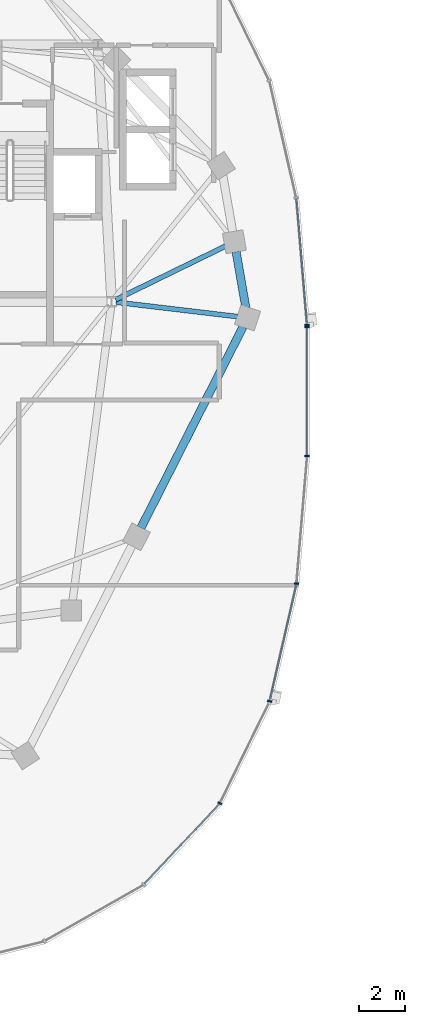
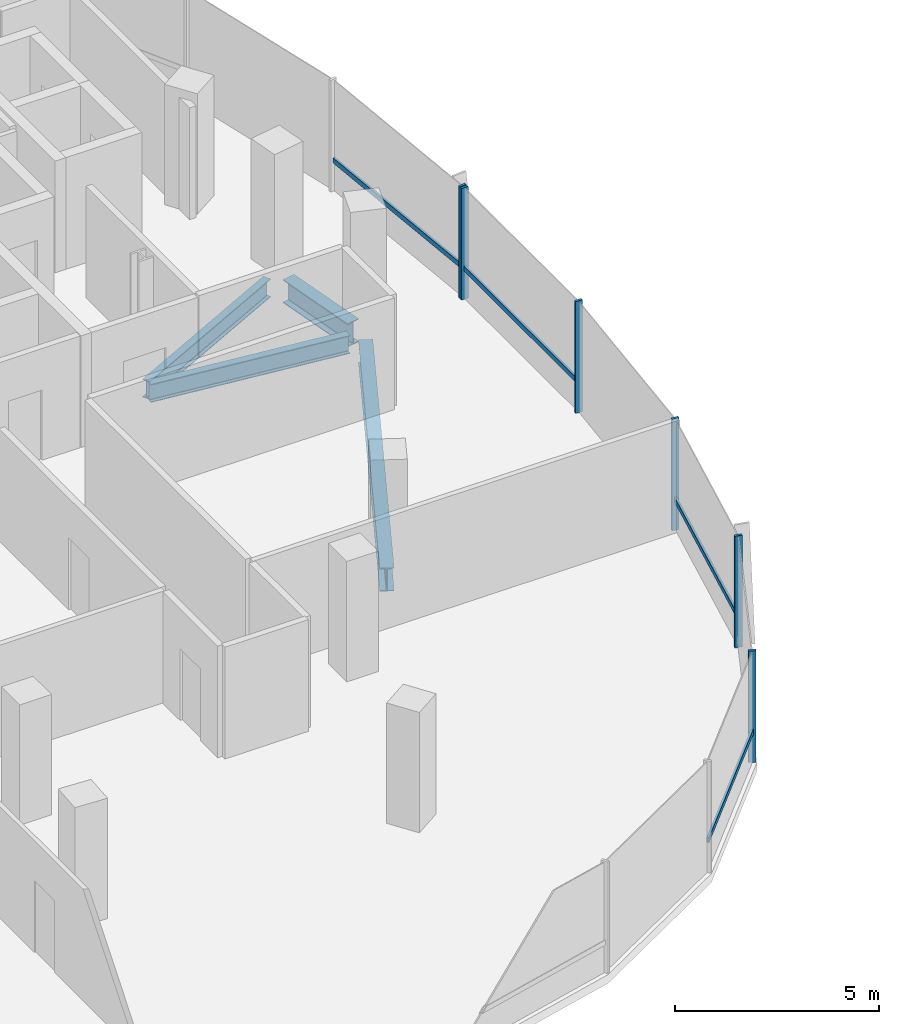
# One storey, part 5 of 25: 10 members, 4 beams, 2 elements without a shape of their own.
"""IFC4 building model written with IfcOpenShell, lengths in metres."""

from ifc_helpers import new_model, si_unit, direction, frame, origin, origin_2d, place, context, subcontext, project, spatial, rectangle, i_section, extrude, material, material_profile, profile_set, type_object, element, aggregate, save


model = new_model("IFC4")

# Units and contexts
model_context = context("Model", 3, precision=1e-05, world=origin(), true_north=direction((0.0, 1.0)))
body_context = subcontext(model_context, "Body", "Model", "MODEL_VIEW")
ifc_project = project(units=[si_unit("LENGTHUNIT", "METRE"), si_unit("AREAUNIT", "SQUARE_METRE"), si_unit("VOLUMEUNIT", "CUBIC_METRE"), si_unit("PLANEANGLEUNIT", "RADIAN"), si_unit("MASSUNIT", "GRAM", prefix="KILO"), si_unit("THERMODYNAMICTEMPERATUREUNIT", "KELVIN"), si_unit("POWERUNIT", "WATT")], contexts=[model_context])

# Site, building, storey
site_placement = place(None, origin())
site = spatial("IfcSite", under=ifc_project, at=site_placement, CompositionType="ELEMENT")
building_placement = place(site_placement, origin())
building = spatial("IfcBuilding", under=site, at=building_placement, Name="Cundina Bronze Exchange", CompositionType="ELEMENT")
storey_placement = place(building_placement, frame((0.0, 0.0, 202.60009765625)))
storey = spatial("IfcBuildingStorey", under=building, at=storey_placement, Name="L53", CompositionType="ELEMENT", Elevation=202.60009765625)

# Beams
ifc_material_1 = material(Name="Steel ASTM A992 Grade 50", Category="steel")
ifc_material_profile_1 = material_profile(ifc_material_1, i_section(OverallWidth=0.2119140625, OverallDepth=0.5439453125, WebThickness=0.01318359375, FlangeThickness=0.021240234375, FilletRadius=0.013916015625, at=origin_2d()), Name="W21X83", Category="steel")
ifc_profile_set_1 = profile_set([ifc_material_profile_1], Name="Steel ASTM A992 Grade 50")
beam_type_1 = type_object("IfcBeamType", Name="BM-FLR-W21A", PredefinedType="BEAM", material=ifc_profile_set_1)
beam_1_placement = place(storey_placement, frame((-21.25537109375, 3.876953125, -0.531982421875), z_axis=(0.993036786722, -0.117804669761, 0.0), x_axis=(0.117804669761, 0.993036786722, 0.0)))
element("IfcBeam", 1, at=beam_1_placement, inside=storey, type_object=beam_type_1, Name="L53 Leg W Radial Floor Beam 00", PredefinedType="BEAM", context=body_context, shape_type="SweptSolid", body=[
    extrude(i_section(OverallWidth=0.2119140625, OverallDepth=0.5439453125, WebThickness=0.01318359375, FlangeThickness=0.021240234375, FilletRadius=0.013916015625, at=origin_2d()), origin(), (0.0, 0.0, 1.0), 5.307373046875),
])
beam_2_placement = place(storey_placement, frame((-21.27392578125, 3.986083984375, -0.531982421875), z_axis=(0.898613202677, 0.438741737214, 0.0), x_axis=(-0.438741737214, 0.898613202677, 0.0)))
element("IfcBeam", 2, at=beam_2_placement, inside=storey, type_object=beam_type_1, Name="L53 Leg W Radial Floor Beam 01", PredefinedType="BEAM", context=body_context, shape_type="SweptSolid", body=[
    extrude(i_section(OverallWidth=0.2119140625, OverallDepth=0.5439453125, WebThickness=0.01318359375, FlangeThickness=0.021240234375, FilletRadius=0.013916015625, at=origin_2d()), origin(), (0.0, 0.0, 1.0), 5.2919921875),
])
ifc_material_profile_2 = material_profile(ifc_material_1, i_section(OverallWidth=0.35498046875, OverallDepth=0.695068359375, WebThickness=0.015380859375, FlangeThickness=0.02490234375, FilletRadius=0.01806640625, at=origin_2d()), Name="W27X146", Category="steel")
ifc_profile_set_2 = profile_set([ifc_material_profile_2], Name="Steel ASTM A992 Grade 50")
beam_type_2 = type_object("IfcBeamType", Name="BM-RING-W27", PredefinedType="USERDEFINED", material=ifc_profile_set_2)
beam_3_placement = place(storey_placement, frame((-15.625244140625, 3.631591796875, -0.607666015625), z_axis=(-0.171628556628, 0.985161732179, 0.0), x_axis=(-0.985161732179, -0.171628556628, 0.0)))
element("IfcBeam", 3, at=beam_3_placement, inside=storey, type_object=beam_type_2, Name="L53 W Perimeter Ring Girder 00", ObjectType="GIRDER", PredefinedType="USERDEFINED", context=body_context, shape_type="SweptSolid", body=[
    extrude(i_section(OverallWidth=0.35498046875, OverallDepth=0.695068359375, WebThickness=0.015380859375, FlangeThickness=0.02490234375, FilletRadius=0.01806640625, at=origin_2d()), origin(), (0.0, 0.0, 1.0), 2.4736328125),
])
beam_4_placement = place(storey_placement, frame((-20.1767578125, -5.909423828125, -0.607666015625), z_axis=(0.452846871434, 0.891588308039, 0.0), x_axis=(-0.891588308039, 0.452846871434, 0.0)))
element("IfcBeam", 4, at=beam_4_placement, inside=storey, type_object=beam_type_2, Name="L53 W Perimeter Ring Girder 13", ObjectType="GIRDER", PredefinedType="USERDEFINED", context=body_context, shape_type="SweptSolid", body=[
    extrude(i_section(OverallWidth=0.35498046875, OverallDepth=0.695068359375, WebThickness=0.015380859375, FlangeThickness=0.02490234375, FilletRadius=0.01806640625, at=origin_2d()), origin(), (0.0, 0.0, 1.0), 9.779052734375),
])

# Curtain wall, member
ifc_material_2 = material(Name="Anodised Bronze Aluminium 6063-T6", Category="aluminium")
curtain_wall_type = type_object("IfcCurtainWallType", Name="CWS-UPP-OFF", PredefinedType="NOTDEFINED", material=ifc_material_2)
curtain_wall_1_placement = place(storey_placement, origin())
curtain_wall_1 = element("IfcCurtainWall", 5, at=curtain_wall_1_placement, inside=storey, type_object=curtain_wall_type, Name="L53 CW-05 Curtain Wall Run CWR-L53-W1", PredefinedType="NOTDEFINED")
ifc_material_profile_3 = material_profile(ifc_material_2, rectangle(XDim=0.070068359375, YDim=0.18994140625, at=origin_2d()), Name="AL70X190", Category="aluminium")
ifc_profile_set_3 = profile_set([ifc_material_profile_3], Name="Anodised Bronze Aluminium 6063-T6")
member_type_1 = type_object("IfcMemberType", Name="CWM-MUL-190", PredefinedType="MULLION", material=ifc_profile_set_3)
member_1_placement = place(storey_placement, frame((-12.9697265625, 2.88330078125, 0.0), z_axis=(0.0, 0.0, 1.0), x_axis=(-0.083677843332, 0.99649285925, 0.0)))
member_1 = element("IfcMember", 6, at=member_1_placement, type_object=member_type_1, Name="CW-05 Mullion 1", PredefinedType="MULLION", context=body_context, shape_type="SweptSolid", body=[
    extrude(rectangle(XDim=0.070068359375, YDim=0.18994140625, at=origin_2d()), origin(), (0.0, 0.0, 1.0), 3.33984375),
])

# Curtain wall, members
curtain_wall_2_placement = place(storey_placement, origin())
curtain_wall_2 = element("IfcCurtainWall", 7, at=curtain_wall_2_placement, inside=storey, type_object=curtain_wall_type, Name="L53 CW-05 Curtain Wall Run CWR-L53-W4", PredefinedType="NOTDEFINED")
member_2_placement = place(storey_placement, frame((-16.754638671875, -17.866455078125, 0.0), z_axis=(0.0, 0.0, 1.0), x_axis=(0.440566004113, 0.897720221461, 0.0)))
member_2 = element("IfcMember", 8, at=member_2_placement, type_object=member_type_1, Name="CW-05 Mullion 4", PredefinedType="MULLION", context=body_context, shape_type="SweptSolid", body=[
    extrude(rectangle(XDim=0.070068359375, YDim=0.18994140625, at=origin_2d()), origin(), (0.0, 0.0, 1.0), 3.33984375),
])
member_3_placement = place(storey_placement, frame((-14.59228515625, -13.440673828125, 0.0), z_axis=(0.0, 0.0, 1.0), x_axis=(0.223250116011, 0.974761194191, 0.0)))
member_3 = element("IfcMember", 9, at=member_3_placement, type_object=member_type_1, Name="CW-05 Mullion 5", PredefinedType="MULLION", context=body_context, shape_type="SweptSolid", body=[
    extrude(rectangle(XDim=0.070068359375, YDim=0.18994140625, at=origin_2d()), origin(), (0.0, 0.0, 1.0), 3.33984375),
])
member_4_placement = place(storey_placement, frame((-13.427490234375, -8.33056640625, 0.0), z_axis=(0.0, 0.0, 1.0), x_axis=(0.083677843332, 0.99649285925, 0.0)))
member_4 = element("IfcMember", 10, at=member_4_placement, type_object=member_type_1, Name="CW-05 Mullion 6", PredefinedType="MULLION", context=body_context, shape_type="SweptSolid", body=[
    extrude(rectangle(XDim=0.070068359375, YDim=0.18994140625, at=origin_2d()), origin(), (0.0, 0.0, 1.0), 3.33984375),
])
member_5_placement = place(storey_placement, frame((-12.966064453125, -2.794921875, 0.0), z_axis=(0.0, 0.0, 1.0), x_axis=(0.0, 1.0, 0.0)))
member_5 = element("IfcMember", 11, at=member_5_placement, type_object=member_type_1, Name="CW-05 Mullion 7", PredefinedType="MULLION", context=body_context, shape_type="SweptSolid", body=[
    extrude(rectangle(XDim=0.070068359375, YDim=0.18994140625, at=origin_2d()), origin(), (0.0, 0.0, 1.0), 3.33984375),
])
member_6_placement = place(storey_placement, frame((-12.966064453125, 2.794921875, 0.0), z_axis=(0.0, 0.0, 1.0), x_axis=(0.0, 1.0, 0.0)))
member_6 = element("IfcMember", 12, at=member_6_placement, type_object=member_type_1, Name="CW-05 End Mullion", PredefinedType="MULLION", context=body_context, shape_type="SweptSolid", body=[
    extrude(rectangle(XDim=0.070068359375, YDim=0.18994140625, at=origin_2d()), origin(), (0.0, 0.0, 1.0), 3.33984375),
])

# Member
ifc_material_profile_4 = material_profile(ifc_material_2, rectangle(XDim=0.06494140625, YDim=0.14990234375, at=origin_2d()), Name="AL65X150", Category="aluminium")
ifc_profile_set_4 = profile_set([ifc_material_profile_4], Name="Anodised Bronze Aluminium 6063-T6")
member_type_2 = type_object("IfcMemberType", Name="CWM-TRN-150", PredefinedType="USERDEFINED", material=ifc_profile_set_4)
member_7_placement = place(storey_placement, frame((-12.972900390625, 2.921630859375, 0.919921875), z_axis=(-0.083740331158, 0.996487610027, 0.0), x_axis=(-0.996487610027, -0.083740331158, 0.0)))
member_7 = element("IfcMember", 13, at=member_7_placement, type_object=member_type_2, Name="CW-05 Spandrel Transom 1", ObjectType="TRANSOM", PredefinedType="USERDEFINED", context=body_context, shape_type="SweptSolid", body=[
    extrude(rectangle(XDim=0.06494140625, YDim=0.14990234375, at=origin_2d()), origin(), (0.0, 0.0, 1.0), 5.466552734375),
])

aggregate(curtain_wall_1, [member_1, member_7])

member_8_placement = place(storey_placement, frame((-20.02490234375, -21.364501953125, 0.919921875), z_axis=(0.684336416554, 0.729166420633, 0.0), x_axis=(-0.729166420633, 0.684336416554, 0.0)))
member_8 = element("IfcMember", 14, at=member_8_placement, type_object=member_type_2, Name="CW-05 Spandrel Transom 3", ObjectType="TRANSOM", PredefinedType="USERDEFINED", context=body_context, shape_type="SweptSolid", body=[
    extrude(rectangle(XDim=0.06494140625, YDim=0.14990234375, at=origin_2d()), origin(), (0.0, 0.0, 1.0), 4.76513671875),
])

member_9_placement = place(storey_placement, frame((-14.58349609375, -13.403076171875, 0.919921875), z_axis=(0.22328343579, 0.974753562344, 0.0), x_axis=(-0.974753562344, 0.22328343579, 0.0)))
member_9 = element("IfcMember", 15, at=member_9_placement, type_object=member_type_2, Name="CW-05 Spandrel Transom 5", ObjectType="TRANSOM", PredefinedType="USERDEFINED", context=body_context, shape_type="SweptSolid", body=[
    extrude(rectangle(XDim=0.06494140625, YDim=0.14990234375, at=origin_2d()), origin(), (0.0, 0.0, 1.0), 5.159912109375),
])

member_10_placement = place(storey_placement, frame((-12.966064453125, -2.756591796875, 0.919921875), z_axis=(0.0, 1.0, 0.0), x_axis=(-1.0, 0.0, 0.0)))
member_10 = element("IfcMember", 16, at=member_10_placement, type_object=member_type_2, Name="CW-05 Spandrel Transom 7", ObjectType="TRANSOM", PredefinedType="USERDEFINED", context=body_context, shape_type="SweptSolid", body=[
    extrude(rectangle(XDim=0.06494140625, YDim=0.14990234375, at=origin_2d()), origin(), (0.0, 0.0, 1.0), 5.51318359375),
])

aggregate(curtain_wall_2, [member_8, member_2, member_3, member_9, member_4, member_5, member_6, member_10])

save(model, "model.ifc")
